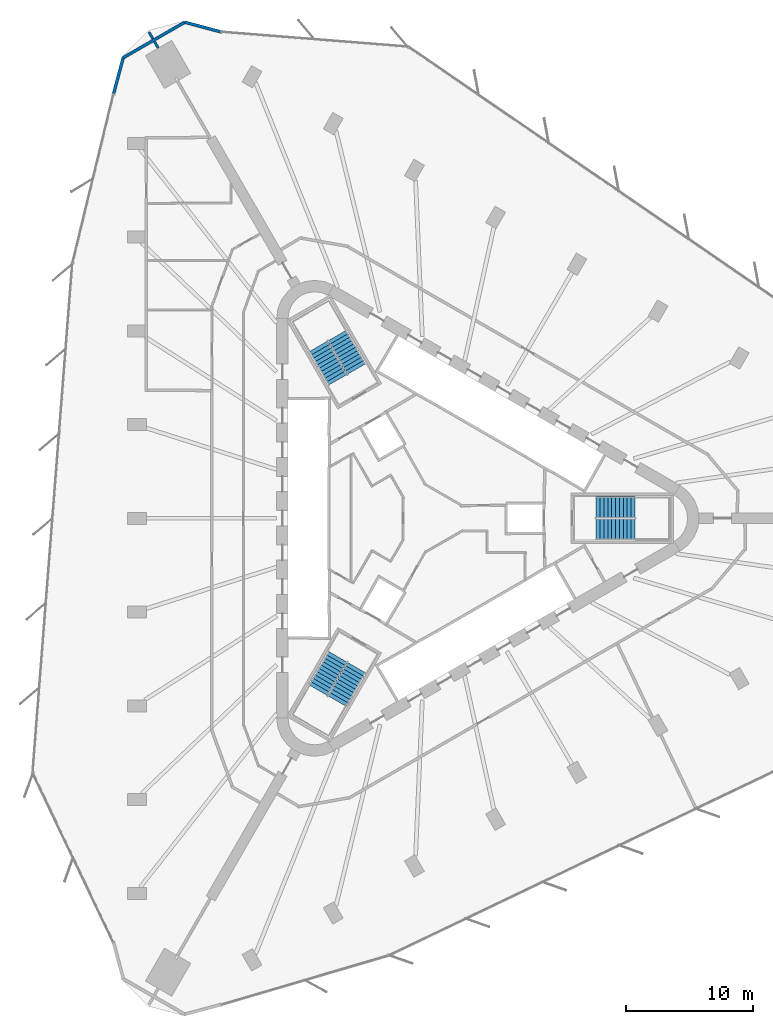
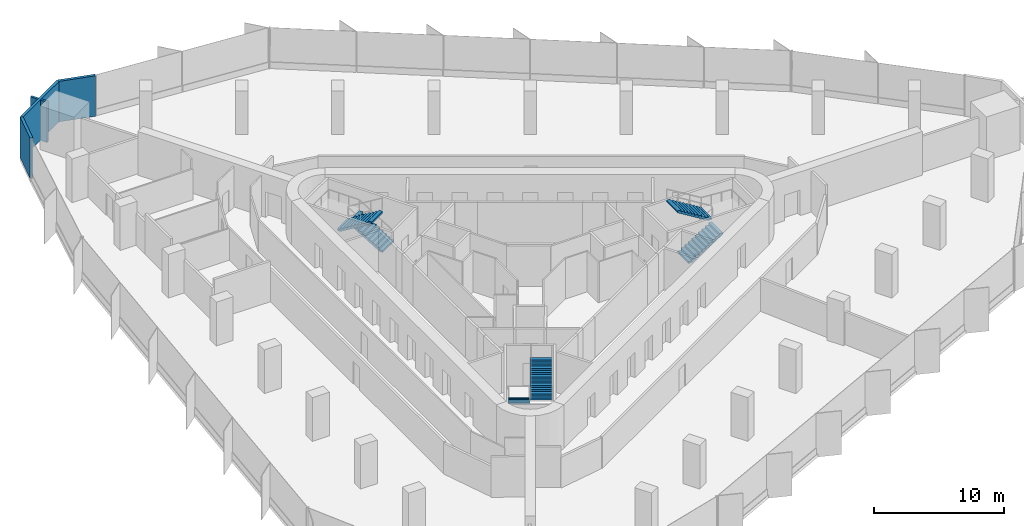
# One storey, part 13 of 14: 6 stair flights, 5 walls, 3 elements without a shape of their own.
"""IFC4 building model written with IfcOpenShell, lengths in metres."""

from ifc_helpers import new_model, si_unit, direction, frame, frame_2d, origin, place, context, subcontext, project, spatial, polyline, rectangle, outline, extrude, material, layer, layer_set, type_object, element, aggregate, save


model = new_model("IFC4")

# Units and contexts
model_context = context("Model", 3, precision=1e-05, world=origin(), true_north=direction((0.0, 1.0)))
body_context = subcontext(model_context, "Body", "Model", "MODEL_VIEW")
ifc_project = project(units=[si_unit("LENGTHUNIT", "METRE"), si_unit("AREAUNIT", "SQUARE_METRE"), si_unit("VOLUMEUNIT", "CUBIC_METRE"), si_unit("PLANEANGLEUNIT", "RADIAN"), si_unit("MASSUNIT", "GRAM", prefix="KILO")], contexts=[model_context])

# Site, building, storey
site_placement = place(None, origin())
site = spatial("IfcSite", under=ifc_project, at=site_placement, CompositionType="ELEMENT")
building_placement = place(site_placement, origin())
building = spatial("IfcBuilding", under=site, at=building_placement, Name="Tanit Gate Tower", CompositionType="ELEMENT")
storey_placement = place(building_placement, frame((0.0, 0.0, 82.39990234375)))
storey = spatial("IfcBuildingStorey", under=building, at=storey_placement, Name="L16", CompositionType="ELEMENT", Elevation=82.39990234375)

# Walls
ifc_material_1 = material(Name="Concrete C30/37 with bronze anodised aluminium cladding", Category="concrete")
ifc_layer_1 = layer(ifc_material_1, 0.239990234375)
ifc_layer_set_1 = layer_set([ifc_layer_1], Name="Facade wall bronze clad 240")
wall_type_1 = type_object("IfcWallType", Name="Facade wall bronze clad 240", PredefinedType="SOLIDWALL", material=ifc_layer_set_1)
wall_1_placement = place(storey_placement, frame((-16.494384765625, 38.3486328125, 0.0), z_axis=(0.0, 0.0, 1.0), x_axis=(-0.965922171105, 0.258832686049, 0.0)))
element("IfcWall", 1, at=wall_1_placement, inside=storey, type_object=wall_type_1, Name="Bronze-clad facade wall L16 NW.arc1", PredefinedType="SOLIDWALL", context=body_context, shape_type="SweptSolid", body=[
    extrude(rectangle(XDim=2.947509765625, YDim=0.239990234375, at=frame_2d((1.4736328125, 0.0))), origin(), (0.0, 0.0, 1.0), 3.800048828125),
])
wall_2_placement = place(storey_placement, frame((-19.341552734375, 39.111572265625, 0.0), z_axis=(0.0, 0.0, 1.0), x_axis=(-0.866036326607, -0.499981080639, 0.0)))
element("IfcWall", 2, at=wall_2_placement, inside=storey, type_object=wall_type_1, Name="Bronze-clad facade wall L16 NW.arc2", PredefinedType="SOLIDWALL", context=body_context, shape_type="SweptSolid", body=[
    extrude(rectangle(XDim=5.611083984375, YDim=0.239990234375, at=frame_2d((2.8056640625, 0.0))), origin(), (0.0, 0.0, 1.0), 3.800048828125),
])
wall_3_placement = place(storey_placement, frame((-24.200927734375, 36.30615234375, 0.0), z_axis=(0.0, 0.0, 1.0), x_axis=(-0.258765188568, -0.965940255495, 0.0)))
element("IfcWall", 3, at=wall_3_placement, inside=storey, type_object=wall_type_1, Name="Bronze-clad facade wall L16 NW.arc3", PredefinedType="SOLIDWALL", context=body_context, shape_type="SweptSolid", body=[
    extrude(rectangle(XDim=2.93505859375, YDim=0.239990234375, at=frame_2d((1.467529296875, 0.0))), origin(), (0.0, 0.0, 1.0), 3.800048828125),
])
ifc_material_2 = material(Name="Fire-rated gypsum board partition")
ifc_layer_2 = layer(ifc_material_2, 0.199951171875)
ifc_layer_set_2 = layer_set([ifc_layer_2], Name="INT-WALL-COMPARTMENT")
wall_type_2 = type_object("IfcWallType", Name="INT-WALL-COMPARTMENT", PredefinedType="PARTITIONING", material=ifc_layer_set_2)
wall_4_placement = place(storey_placement, frame((-22.1689453125, 38.337890625, 0.0), z_axis=(0.0, 0.0, 1.0), x_axis=(0.499970989427, -0.866042152399, 0.0)))
element("IfcWall", 4, at=wall_4_placement, inside=storey, type_object=wall_type_2, Name="Wall Compartment W107", PredefinedType="PARTITIONING", context=body_context, shape_type="SweptSolid", body=[
    extrude(rectangle(XDim=0.62353515625, YDim=0.199951171875, at=frame_2d((0.311767578125, 0.0))), origin(), (0.0, 0.0, 1.0), 3.800048828125),
])
wall_5_placement = place(storey_placement, frame((-21.737060546875, 37.58984375, 0.0), z_axis=(0.0, 0.0, 1.0), x_axis=(0.499920697567, -0.866071184225, 0.0)))
element("IfcWall", 5, at=wall_5_placement, inside=storey, type_object=wall_type_2, Name="Wall Compartment W107x1", PredefinedType="PARTITIONING", context=body_context, shape_type="SweptSolid", body=[
    extrude(rectangle(XDim=0.60400390625, YDim=0.199951171875, at=frame_2d((0.302001953125, 0.0))), origin(), (0.0, 0.0, 1.0), 3.800048828125),
])

# Stair, stair flights
ifc_material_3 = material(Name="Concrete C40/50", Category="concrete")
stair_type = type_object("IfcStairType", Name="INT-STAIR-EXIT", PredefinedType="HALF_TURN_STAIR", material=ifc_material_3)
stair_1_placement = place(storey_placement, origin())
stair_1 = element("IfcStair", 6, at=stair_1_placement, inside=storey, type_object=stair_type, Name="L16 STAIR S1", PredefinedType="HALF_TURN_STAIR")
ifc_material_4 = material(Name="Concrete C40/50", Category="concrete")
stair_flight_type = type_object("IfcStairFlightType", Name="INT-STAIR-FLIGHT", PredefinedType="STRAIGHT", material=ifc_material_4)
stair_flight_1_placement = place(storey_placement, frame((13.094970703125, -0.8525390625, 0.0), z_axis=(0.0, 0.0, 1.0), x_axis=(1.0, 0.0, 0.0)))
stair_flight_1 = element("IfcStairFlight", 7, at=stair_flight_1_placement, type_object=stair_flight_type, Name="S1 flight 1", NumberOfRisers=11, NumberOfTreads=10, PredefinedType="STRAIGHT", RiserHeight=0.186363636, TreadLength=0.3051, context=body_context, shape_type="SweptSolid", body=[
    extrude(outline(polyline([(0.0, 0.0), (0.0, 0.186279296875), (0.30517578125, 0.186279296875), (0.30517578125, 0.372802734375), (0.610107421875, 0.372802734375), (0.610107421875, 0.55908203125), (0.915283203125, 0.55908203125), (0.915283203125, 0.745361328125), (1.220458984375, 0.745361328125), (1.220458984375, 0.931884765625), (1.525390625, 0.931884765625), (1.525390625, 1.1181640625), (1.83056640625, 1.1181640625), (1.83056640625, 1.304443359375), (2.1357421875, 1.304443359375), (2.1357421875, 1.490966796875), (2.44091796875, 1.490966796875), (2.44091796875, 1.67724609375), (2.745849609375, 1.67724609375), (2.745849609375, 1.863525390625), (3.051025390625, 1.863525390625), (3.051025390625, 2.050048828125), (3.051025390625, 1.68798828125), (0.28759765625, 0.0), (0.0, 0.0)])), frame((0.0, 0.84765625, 0.0), z_axis=(0.0, -1.0, 0.0), x_axis=(1.0, 0.0, 0.0)), (0.0, 0.0, 1.0), 1.695068359375),
])
stair_flight_2_placement = place(storey_placement, frame((16.14599609375, 0.8525390625, 2.050048828125), z_axis=(0.0, 0.0, 1.0), x_axis=(-1.0, 0.0, 0.0)))
stair_flight_2 = element("IfcStairFlight", 8, at=stair_flight_2_placement, type_object=stair_flight_type, Name="S1 flight 2", NumberOfRisers=11, NumberOfTreads=10, PredefinedType="STRAIGHT", RiserHeight=0.186363636, TreadLength=0.3051, context=body_context, shape_type="SweptSolid", body=[
    extrude(outline(polyline([(0.0, 0.0), (0.0, 0.186279296875), (0.30517578125, 0.186279296875), (0.30517578125, 0.372802734375), (0.610107421875, 0.372802734375), (0.610107421875, 0.55908203125), (0.915283203125, 0.55908203125), (0.915283203125, 0.745361328125), (1.220458984375, 0.745361328125), (1.220458984375, 0.931884765625), (1.525390625, 0.931884765625), (1.525390625, 1.1181640625), (1.83056640625, 1.1181640625), (1.83056640625, 1.304443359375), (2.1357421875, 1.304443359375), (2.1357421875, 1.490966796875), (2.44091796875, 1.490966796875), (2.44091796875, 1.67724609375), (2.745849609375, 1.67724609375), (2.745849609375, 1.863525390625), (3.051025390625, 1.863525390625), (3.051025390625, 2.050048828125), (3.051025390625, 1.68798828125), (0.28759765625, 0.0), (0.0, 0.0)])), frame((0.0, 0.84765625, 0.0), z_axis=(0.0, -1.0, 0.0), x_axis=(1.0, 0.0, 0.0)), (0.0, 0.0, 1.0), 1.695068359375),
])
aggregate(stair_1, [stair_flight_1, stair_flight_2])

stair_2_placement = place(storey_placement, origin())
stair_2 = element("IfcStair", 9, at=stair_2_placement, inside=storey, type_object=stair_type, Name="L16 STAIR S2", PredefinedType="HALF_TURN_STAIR")
stair_flight_3_placement = place(storey_placement, frame((-5.808349609375, 11.766357421875, 0.0), z_axis=(0.0, 0.0, 1.0), x_axis=(-0.5, 0.866025403784, 0.0)))
stair_flight_3 = element("IfcStairFlight", 10, at=stair_flight_3_placement, type_object=stair_flight_type, Name="S2 flight 1", NumberOfRisers=11, NumberOfTreads=10, PredefinedType="STRAIGHT", RiserHeight=0.186363636, TreadLength=0.30492, context=body_context, shape_type="SweptSolid", body=[
    extrude(outline(polyline([(0.0, 0.0), (0.0, 0.186279296875), (0.304931640625, 0.186279296875), (0.304931640625, 0.372802734375), (0.60986328125, 0.372802734375), (0.60986328125, 0.55908203125), (0.914794921875, 0.55908203125), (0.914794921875, 0.745361328125), (1.2197265625, 0.745361328125), (1.2197265625, 0.931884765625), (1.524658203125, 0.931884765625), (1.524658203125, 1.1181640625), (1.82958984375, 1.1181640625), (1.82958984375, 1.304443359375), (2.134521484375, 1.304443359375), (2.134521484375, 1.490966796875), (2.439453125, 1.490966796875), (2.439453125, 1.67724609375), (2.744384765625, 1.67724609375), (2.744384765625, 1.863525390625), (3.04931640625, 1.863525390625), (3.04931640625, 2.050048828125), (3.04931640625, 1.68798828125), (0.287353515625, 0.0), (0.0, 0.0)])), frame((0.0, 0.84716796875, 0.0), z_axis=(0.0, -1.0, 0.0), x_axis=(1.0, 0.0, 0.0)), (0.0, 0.0, 1.0), 1.694091796875),
])
stair_flight_4_placement = place(storey_placement, frame((-8.810302734375, 13.553955078125, 2.050048828125), z_axis=(0.0, 0.0, 1.0), x_axis=(0.5, -0.866025403784, 0.0)))
stair_flight_4 = element("IfcStairFlight", 11, at=stair_flight_4_placement, type_object=stair_flight_type, Name="S2 flight 2", NumberOfRisers=11, NumberOfTreads=10, PredefinedType="STRAIGHT", RiserHeight=0.186363636, TreadLength=0.30492, context=body_context, shape_type="SweptSolid", body=[
    extrude(outline(polyline([(0.0, 0.0), (0.0, 0.186279296875), (0.304931640625, 0.186279296875), (0.304931640625, 0.372802734375), (0.60986328125, 0.372802734375), (0.60986328125, 0.55908203125), (0.914794921875, 0.55908203125), (0.914794921875, 0.745361328125), (1.2197265625, 0.745361328125), (1.2197265625, 0.931884765625), (1.524658203125, 0.931884765625), (1.524658203125, 1.1181640625), (1.82958984375, 1.1181640625), (1.82958984375, 1.304443359375), (2.134521484375, 1.304443359375), (2.134521484375, 1.490966796875), (2.439453125, 1.490966796875), (2.439453125, 1.67724609375), (2.744384765625, 1.67724609375), (2.744384765625, 1.863525390625), (3.04931640625, 1.863525390625), (3.04931640625, 2.050048828125), (3.04931640625, 1.68798828125), (0.287353515625, 0.0), (0.0, 0.0)])), frame((0.0, 0.84716796875, 0.0), z_axis=(0.0, -1.0, 0.0), x_axis=(1.0, 0.0, 0.0)), (0.0, 0.0, 1.0), 1.694091796875),
])
aggregate(stair_2, [stair_flight_3, stair_flight_4])

stair_3_placement = place(storey_placement, origin())
stair_3 = element("IfcStair", 12, at=stair_3_placement, inside=storey, type_object=stair_type, Name="L16 STAIR S3", PredefinedType="HALF_TURN_STAIR")
stair_flight_5_placement = place(storey_placement, frame((-7.285888671875, -10.914306640625, 0.0), z_axis=(0.0, 0.0, 1.0), x_axis=(-0.5, -0.866025403784, 0.0)))
stair_flight_5 = element("IfcStairFlight", 13, at=stair_flight_5_placement, type_object=stair_flight_type, Name="S3 flight 1", NumberOfRisers=11, NumberOfTreads=10, PredefinedType="STRAIGHT", RiserHeight=0.186363636, TreadLength=0.3051, context=body_context, shape_type="SweptSolid", body=[
    extrude(outline(polyline([(0.0, 0.0), (0.0, 0.186279296875), (0.30517578125, 0.186279296875), (0.30517578125, 0.372802734375), (0.610107421875, 0.372802734375), (0.610107421875, 0.55908203125), (0.915283203125, 0.55908203125), (0.915283203125, 0.745361328125), (1.220458984375, 0.745361328125), (1.220458984375, 0.931884765625), (1.525390625, 0.931884765625), (1.525390625, 1.1181640625), (1.83056640625, 1.1181640625), (1.83056640625, 1.304443359375), (2.1357421875, 1.304443359375), (2.1357421875, 1.490966796875), (2.44091796875, 1.490966796875), (2.44091796875, 1.67724609375), (2.745849609375, 1.67724609375), (2.745849609375, 1.863525390625), (3.051025390625, 1.863525390625), (3.051025390625, 2.050048828125), (3.051025390625, 1.68798828125), (0.28759765625, 0.0), (0.0, 0.0)])), frame((0.0, 0.84765625, 0.0), z_axis=(0.0, -1.0, 0.0), x_axis=(1.0, 0.0, 0.0)), (0.0, 0.0, 1.0), 1.695068359375),
])
stair_flight_6_placement = place(storey_placement, frame((-7.334716796875, -14.4091796875, 2.050048828125), z_axis=(0.0, 0.0, 1.0), x_axis=(0.5, 0.866025403784, 0.0)))
stair_flight_6 = element("IfcStairFlight", 14, at=stair_flight_6_placement, type_object=stair_flight_type, Name="S3 flight 2", NumberOfRisers=11, NumberOfTreads=10, PredefinedType="STRAIGHT", RiserHeight=0.186363636, TreadLength=0.3051, context=body_context, shape_type="SweptSolid", body=[
    extrude(outline(polyline([(0.0, 0.0), (0.0, 0.186279296875), (0.30517578125, 0.186279296875), (0.30517578125, 0.372802734375), (0.610107421875, 0.372802734375), (0.610107421875, 0.55908203125), (0.915283203125, 0.55908203125), (0.915283203125, 0.745361328125), (1.220458984375, 0.745361328125), (1.220458984375, 0.931884765625), (1.525390625, 0.931884765625), (1.525390625, 1.1181640625), (1.83056640625, 1.1181640625), (1.83056640625, 1.304443359375), (2.1357421875, 1.304443359375), (2.1357421875, 1.490966796875), (2.44091796875, 1.490966796875), (2.44091796875, 1.67724609375), (2.745849609375, 1.67724609375), (2.745849609375, 1.863525390625), (3.051025390625, 1.863525390625), (3.051025390625, 2.050048828125), (3.051025390625, 1.68798828125), (0.28759765625, 0.0), (0.0, 0.0)])), frame((0.0, 0.84765625, 0.0), z_axis=(0.0, -1.0, 0.0), x_axis=(1.0, 0.0, 0.0)), (0.0, 0.0, 1.0), 1.695068359375),
])
aggregate(stair_3, [stair_flight_5, stair_flight_6])

save(model, "model.ifc")
